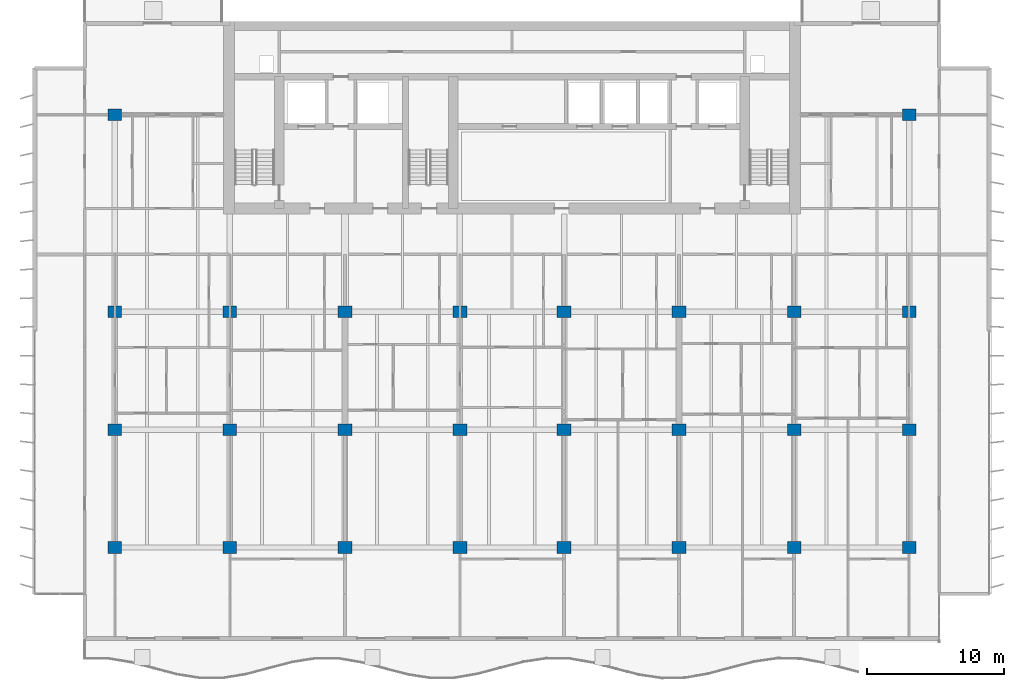
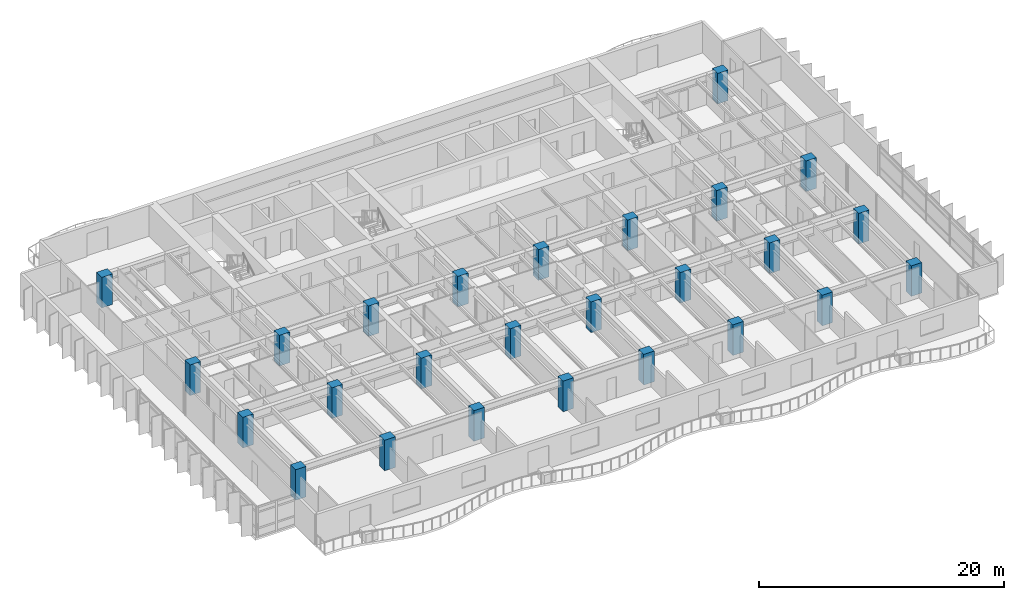
# One storey, part 1 of 19: 26 columns.
"""IFC4 building model written with IfcOpenShell, lengths in metres."""

from ifc_helpers import new_model, si_unit, direction, frame, origin, origin_2d, place, context, subcontext, project, spatial, rectangle, extrude, material, material_profile, profile_set, type_object, element, save


model = new_model("IFC4")

# Units and contexts
model_context = context("Model", 3, precision=1e-05, world=origin(), true_north=direction((0.0, 1.0)))
body_context = subcontext(model_context, "Body", "Model", "MODEL_VIEW")
ifc_project = project(units=[si_unit("LENGTHUNIT", "METRE"), si_unit("AREAUNIT", "SQUARE_METRE"), si_unit("VOLUMEUNIT", "CUBIC_METRE"), si_unit("PLANEANGLEUNIT", "RADIAN"), si_unit("MASSUNIT", "GRAM", prefix="KILO")], contexts=[model_context])

# Site, building, storey
site_placement = place(None, origin())
site = spatial("IfcSite", under=ifc_project, at=site_placement, CompositionType="ELEMENT")
building_placement = place(site_placement, origin())
building = spatial("IfcBuilding", under=site, at=building_placement, Name="Caelmar Bay Residences", CompositionType="ELEMENT")
storey_placement = place(building_placement, frame((0.0, 0.0, 112.5)))
storey = spatial("IfcBuildingStorey", under=building, at=storey_placement, Name="L30", CompositionType="ELEMENT", Elevation=112.5)

# Columns
ifc_material = material(Name="Concrete f'c 70 MPa (10,000 psi)", Category="concrete")
ifc_material_profile = material_profile(ifc_material, rectangle(XDim=1.0, YDim=0.85009765625, at=origin_2d()), Name="RC-COL-1000X850")
ifc_profile_set = profile_set([ifc_material_profile], Name="Concrete f'c 70 MPa (10,000 psi)")
column_type = type_object("IfcColumnType", Name="COL-RC-1000X850", PredefinedType="COLUMN", material=ifc_profile_set)
for number, where, z_axis, x_axis, name in (
    (1, (9.89990234375, 12.199951171875, 0.0), (0.0, 0.0, 1.0), (1.0, 0.0, 0.0), "L30 Column (9.90,12.20)"),
    (2, (18.300048828125, 12.199951171875, 0.0), (0.0, 0.0, 1.0), (1.0, 0.0, 0.0), "L30 Column (18.30,12.20)"),
    (3, (26.699951171875, 12.199951171875, 0.0), (0.0, 0.0, 1.0), (1.0, 0.0, 0.0), "L30 Column (26.70,12.20)"),
    (4, (35.10009765625, 12.199951171875, 0.0), (0.0, 0.0, 1.0), (1.0, 0.0, 0.0), "L30 Column (35.10,12.20)"),
    (5, (42.699951171875, 12.199951171875, 0.0), (0.0, 0.0, 1.0), (1.0, 0.0, 0.0), "L30 Column (42.70,12.20)"),
    (6, (51.10009765625, 12.199951171875, 0.0), (0.0, 0.0, 1.0), (1.0, 0.0, 0.0), "L30 Column (51.10,12.20)"),
    (7, (59.5, 12.199951171875, 0.0), (0.0, 0.0, 1.0), (1.0, 0.0, 0.0), "L30 Column (59.50,12.20)"),
    (8, (67.89990234375, 12.199951171875, 0.0), (0.0, 0.0, 1.0), (1.0, 0.0, 0.0), "L30 Column (67.90,12.20)"),
    (9, (9.89990234375, 20.800048828125, 0.0), (0.0, 0.0, 1.0), (1.0, 0.0, 0.0), "L30 Column (9.90,20.80)"),
    (10, (18.300048828125, 20.800048828125, 0.0), (0.0, 0.0, 1.0), (1.0, 0.0, 0.0), "L30 Column (18.30,20.80)"),
    (11, (26.699951171875, 20.800048828125, 0.0), (0.0, 0.0, 1.0), (1.0, 0.0, 0.0), "L30 Column (26.70,20.80)"),
    (12, (35.10009765625, 20.800048828125, 0.0), (0.0, 0.0, 1.0), (1.0, 0.0, 0.0), "L30 Column (35.10,20.80)"),
    (13, (42.699951171875, 20.800048828125, 0.0), (0.0, 0.0, 1.0), (1.0, 0.0, 0.0), "L30 Column (42.70,20.80)"),
    (14, (51.10009765625, 20.800048828125, 0.0), (0.0, 0.0, 1.0), (1.0, 0.0, 0.0), "L30 Column (51.10,20.80)"),
    (15, (59.5, 20.800048828125, 0.0), (0.0, 0.0, 1.0), (1.0, 0.0, 0.0), "L30 Column (59.50,20.80)"),
    (16, (67.89990234375, 20.800048828125, 0.0), (0.0, 0.0, 1.0), (1.0, 0.0, 0.0), "L30 Column (67.90,20.80)"),
    (17, (9.89990234375, 29.39990234375, 0.0), (0.0, 0.0, 1.0), (1.0, 0.0, 0.0), "L30 Column (9.90,29.40)"),
    (18, (18.300048828125, 29.39990234375, 0.0), (0.0, 0.0, 1.0), (1.0, 0.0, 0.0), "L30 Column (18.30,29.40)"),
    (19, (26.699951171875, 29.39990234375, 0.0), (0.0, 0.0, 1.0), (1.0, 0.0, 0.0), "L30 Column (26.70,29.40)"),
    (20, (35.10009765625, 29.39990234375, 0.0), (0.0, 0.0, 1.0), (1.0, 0.0, 0.0), "L30 Column (35.10,29.40)"),
    (21, (42.699951171875, 29.39990234375, 0.0), (0.0, 0.0, 1.0), (1.0, 0.0, 0.0), "L30 Column (42.70,29.40)"),
    (22, (51.10009765625, 29.39990234375, 0.0), (0.0, 0.0, 1.0), (1.0, 0.0, 0.0), "L30 Column (51.10,29.40)"),
    (23, (59.5, 29.39990234375, 0.0), (0.0, 0.0, 1.0), (1.0, 0.0, 0.0), "L30 Column (59.50,29.40)"),
    (24, (67.89990234375, 29.39990234375, 0.0), (0.0, 0.0, 1.0), (1.0, 0.0, 0.0), "L30 Column (67.90,29.40)"),
    (25, (9.89990234375, 43.800048828125, 0.0), (0.0, 0.0, 1.0), (1.0, 0.0, 0.0), "L30 Column (9.90,43.80)"),
    (26, (67.89990234375, 43.800048828125, 0.0), (0.0, 0.0, 1.0), (1.0, 0.0, 0.0), "L30 Column (67.90,43.80)"),
):
    element("IfcColumn", number, at=place(storey_placement, frame(where, z_axis=z_axis, x_axis=x_axis)), inside=storey, type_object=column_type, Name=name, PredefinedType="COLUMN", context=body_context, shape_type="SweptSolid", body=[
        extrude(rectangle(XDim=1.0, YDim=0.85009765625, at=origin_2d()), origin(), (0.0, 0.0, 1.0), 3.050048828125),
    ])

save(model, "model.ifc")
